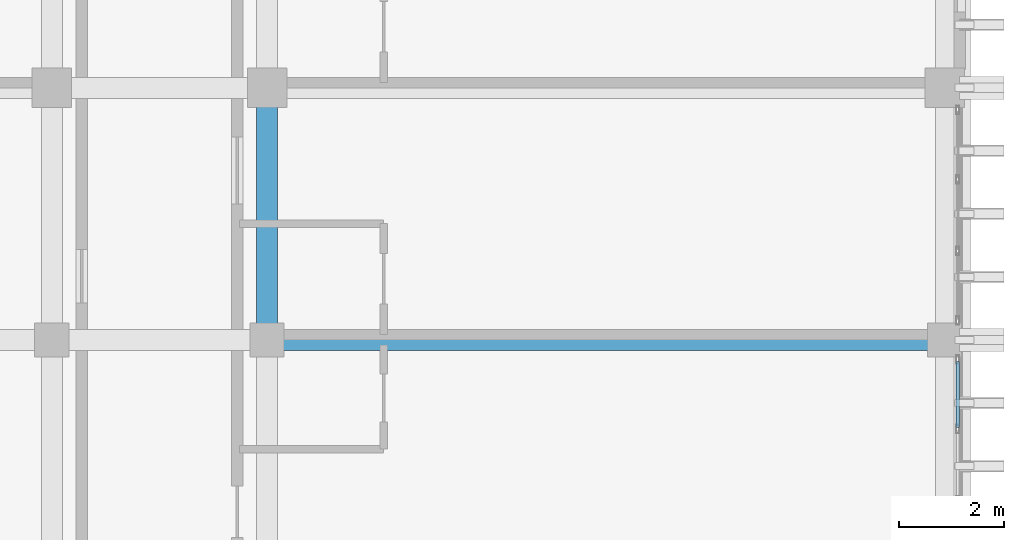
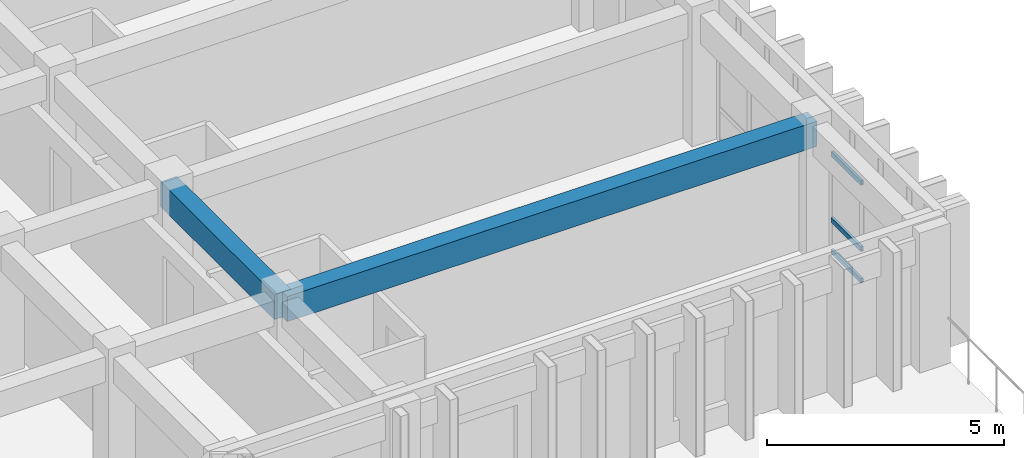
# One storey, part 7 of 64: 3 members, 2 beams, 1 element without a shape of its own.
"""IFC4 building model written with IfcOpenShell, lengths in metres."""

from ifc_helpers import new_model, si_unit, direction, frame, origin, origin_2d, place, context, subcontext, project, spatial, rectangle, hollow_rectangle, extrude, material, layer, layer_set, material_profile, profile_set, type_object, element, aggregate, save


model = new_model("IFC4")

# Units and contexts
model_context = context("Model", 3, precision=1e-05, world=origin(), true_north=direction((0.0, 1.0)))
body_context = subcontext(model_context, "Body", "Model", "MODEL_VIEW")
ifc_project = project(units=[si_unit("LENGTHUNIT", "METRE"), si_unit("AREAUNIT", "SQUARE_METRE"), si_unit("VOLUMEUNIT", "CUBIC_METRE"), si_unit("PLANEANGLEUNIT", "RADIAN"), si_unit("MASSUNIT", "GRAM", prefix="KILO")], contexts=[model_context])

# Site, building, storey
site_placement = place(None, origin())
site = spatial("IfcSite", under=ifc_project, at=site_placement, CompositionType="ELEMENT")
building_placement = place(site_placement, origin())
building = spatial("IfcBuilding", under=site, at=building_placement, Name="Nakhvara Creek Congress Hotel", CompositionType="ELEMENT")
storey_placement = place(building_placement, frame((0.0, 0.0, 28.199951171875)))
storey = spatial("IfcBuildingStorey", under=building, at=storey_placement, Name="L06", CompositionType="ELEMENT", Elevation=28.199951171875)

# Beams
ifc_material_1 = material(Name="Concrete C40/50", Category="concrete")
ifc_material_profile_1 = material_profile(ifc_material_1, rectangle(XDim=0.39990234375, YDim=0.64990234375, at=origin_2d()), Name="RC-BM 400x650", Category="LoadBearing")
ifc_profile_set_1 = profile_set([ifc_material_profile_1], Name="Concrete C40/50")
beam_type = type_object("IfcBeamType", Name="BM-RC-400X650", PredefinedType="BEAM", material=ifc_profile_set_1)
beam_1_placement = place(storey_placement, frame((166.449951171875, 43.199951171875, 3.01513671875), z_axis=(0.0, 1.0, 0.0), x_axis=(-1.0, 0.0, 0.0)))
element("IfcBeam", 1, at=beam_1_placement, inside=storey, type_object=beam_type, Name="Beam B06-L06-2250", PredefinedType="BEAM", context=body_context, shape_type="SweptSolid", body=[
    extrude(rectangle(XDim=0.39990234375, YDim=0.64990234375, at=origin_2d()), origin(), (0.0, 0.0, 1.0), 4.800048828125),
])
beam_2_placement = place(storey_placement, frame((166.449951171875, 43.199951171875, 3.01513671875), z_axis=(1.0, 0.0, 0.0), x_axis=(0.0, 1.0, 0.0)))
element("IfcBeam", 2, at=beam_2_placement, inside=storey, type_object=beam_type, Name="Beam B06-L06-2309", PredefinedType="BEAM", context=body_context, shape_type="SweptSolid", body=[
    extrude(rectangle(XDim=0.39990234375, YDim=0.64990234375, at=origin_2d()), origin(), (0.0, 0.0, 1.0), 12.900146484375),
])

# Curtain wall, members
ifc_material_2 = material(Name="Bronze-anodised aluminium AW-6063-T6 and double-silver low-E glass", Category="aluminium")
ifc_layer = layer(ifc_material_2, 0.199951171875)
ifc_layer_set = layer_set([ifc_layer], Name="Bronze-anodised aluminium AW-6063-T6 and double-silver low-E glass")
curtain_wall_type = type_object("IfcCurtainWallType", Name="CW-HTL-UNIT", PredefinedType="USERDEFINED", material=ifc_layer_set)
curtain_wall_placement = place(storey_placement, origin())
curtain_wall = element("IfcCurtainWall", 3, at=curtain_wall_placement, inside=storey, type_object=curtain_wall_type, Name="Curtain Wall CW229", ObjectType="UNITISED", PredefinedType="USERDEFINED")
ifc_material_3 = material(Name="Bronze-anodised aluminium AW-6063-T6", Category="aluminium")
ifc_material_profile_2 = material_profile(ifc_material_3, hollow_rectangle(XDim=0.06494140625, YDim=0.1201171875, WallThickness=0.00390625, at=origin_2d()), Name="ALU-TRAN 65x120x4", Category="LoadBearing")
ifc_profile_set_2 = profile_set([ifc_material_profile_2], Name="Bronze-anodised aluminium AW-6063-T6")
member_type = type_object("IfcMemberType", Name="CW-TRAN-120", PredefinedType="USERDEFINED", material=ifc_profile_set_2)
member_1_placement = place(storey_placement, frame((179.60009765625, 42.794921875, 0.032470703125), z_axis=(0.0, -1.0, 0.0), x_axis=(1.0, 0.0, 0.0)))
member_1 = element("IfcMember", 4, at=member_1_placement, type_object=member_type, Name="CW229 transom 1.1", ObjectType="TRANSOM", PredefinedType="USERDEFINED", context=body_context, shape_type="SweptSolid", body=[
    extrude(hollow_rectangle(XDim=0.06494140625, YDim=0.1201171875, WallThickness=0.00390625, at=origin_2d()), origin(), (0.0, 0.0, 1.0), 1.259033203125),
])
member_2_placement = place(storey_placement, frame((179.60009765625, 42.794921875, 0.85009765625), z_axis=(0.0, -1.0, 0.0), x_axis=(1.0, 0.0, 0.0)))
member_2 = element("IfcMember", 5, at=member_2_placement, type_object=member_type, Name="CW229 transom 1.2", ObjectType="TRANSOM", PredefinedType="USERDEFINED", context=body_context, shape_type="SweptSolid", body=[
    extrude(hollow_rectangle(XDim=0.06494140625, YDim=0.1201171875, WallThickness=0.00390625, at=origin_2d()), origin(), (0.0, 0.0, 1.0), 1.259033203125),
])
member_3_placement = place(storey_placement, frame((179.60009765625, 42.794921875, 2.549560546875), z_axis=(0.0, -1.0, 0.0), x_axis=(1.0, 0.0, 0.0)))
member_3 = element("IfcMember", 6, at=member_3_placement, type_object=member_type, Name="CW229 transom 1.3", ObjectType="TRANSOM", PredefinedType="USERDEFINED", context=body_context, shape_type="SweptSolid", body=[
    extrude(hollow_rectangle(XDim=0.06494140625, YDim=0.1201171875, WallThickness=0.00390625, at=origin_2d()), origin(), (0.0, 0.0, 1.0), 1.259033203125),
])
aggregate(curtain_wall, [member_1, member_2, member_3])

save(model, "model.ifc")
